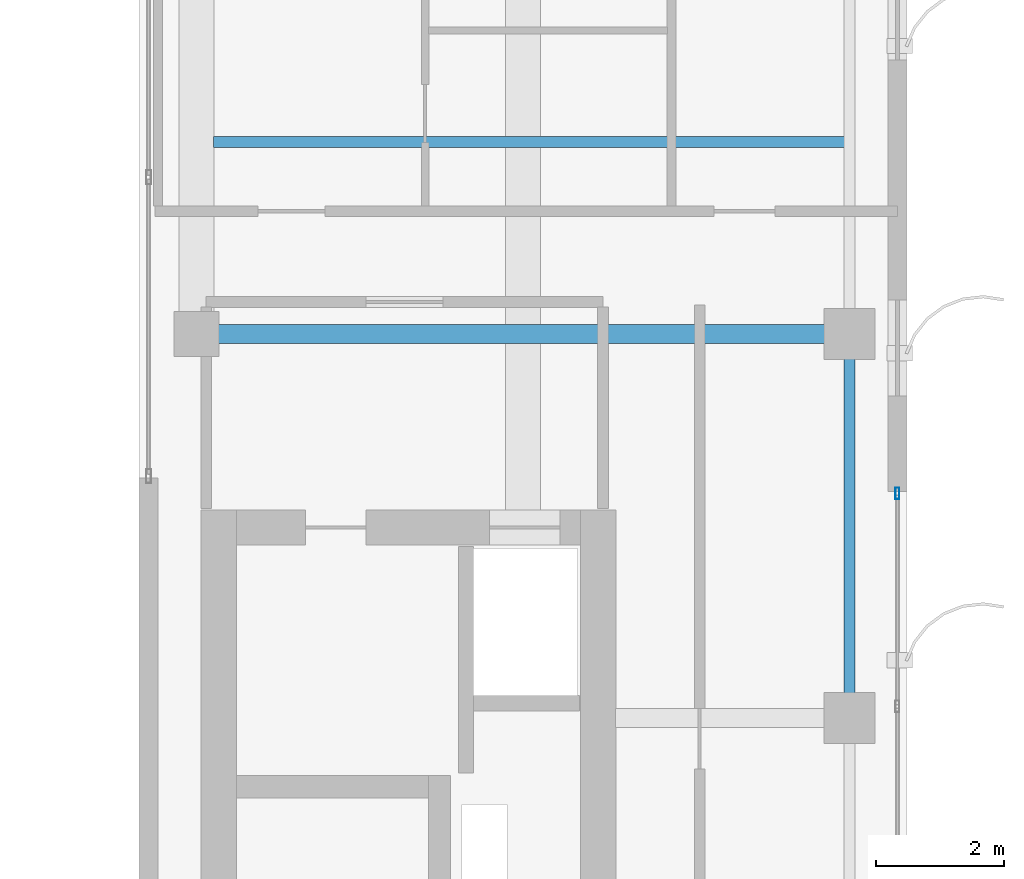
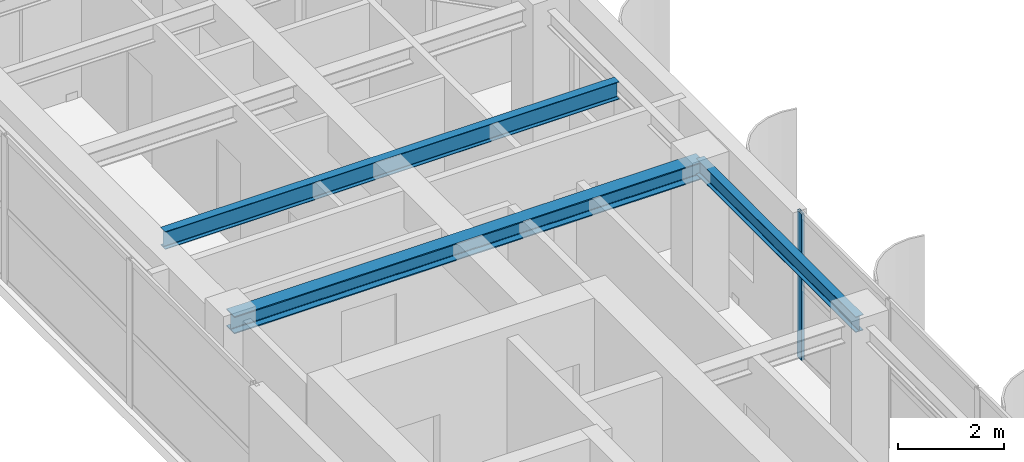
# One storey, part 13 of 24: 3 beams, 1 member, 1 element without a shape of its own.
"""IFC4 building model written with IfcOpenShell, lengths in metres."""

from ifc_helpers import new_model, si_unit, direction, frame, origin, origin_2d, place, context, subcontext, project, spatial, hollow_rectangle, i_section, extrude, source, transform, mapped, material, layer, layer_set, material_profile, profile_set, type_object, element, aggregate, save


model = new_model("IFC4")

# Units and contexts
model_context = context("Model", 3, precision=1e-05, world=origin(), true_north=direction((0.0, 1.0)))
body_context = subcontext(model_context, "Body", "Model", "MODEL_VIEW")
ifc_project = project(units=[si_unit("LENGTHUNIT", "METRE"), si_unit("AREAUNIT", "SQUARE_METRE"), si_unit("VOLUMEUNIT", "CUBIC_METRE"), si_unit("PLANEANGLEUNIT", "RADIAN"), si_unit("MASSUNIT", "GRAM", prefix="KILO")], contexts=[model_context])

# Site, building, storey
site_placement = place(None, origin())
site = spatial("IfcSite", under=ifc_project, at=site_placement, CompositionType="ELEMENT")
building_placement = place(site_placement, origin())
building = spatial("IfcBuilding", under=site, at=building_placement, Name="Khoralis Quay Care Tower", CompositionType="ELEMENT")
storey_placement = place(building_placement, frame((0.0, 0.0, 249.300048828125)))
storey = spatial("IfcBuildingStorey", under=building, at=storey_placement, Name="L65", CompositionType="ELEMENT", Elevation=249.300048828125)

# Beams
ifc_material_1 = material(Name="Steel S355", Category="steel")
ifc_material_profile_1 = material_profile(ifc_material_1, i_section(OverallWidth=0.169921875, OverallDepth=0.360107421875, WebThickness=0.008056640625, FlangeThickness=0.0126953125, FilletRadius=0.01806640625, at=origin_2d()), Name="Steel S355")
ifc_profile_set_1 = profile_set([ifc_material_profile_1], Name="Steel S355")
beam_type_1 = type_object("IfcBeamType", Name="BM-IPE360", PredefinedType="SPANDREL", material=ifc_profile_set_1)
shared_shape_1 = source(origin(), body_context, "Body", "SweptSolid", [
    extrude(i_section(OverallWidth=0.169921875, OverallDepth=0.360107421875, WebThickness=0.008056640625, FlangeThickness=0.0126953125, FilletRadius=0.01806640625, at=origin_2d()), origin(), (0.0, 0.0, 1.0), 6.0),
])
beam_1_placement = place(storey_placement, frame((41.10009765625, 24.0, 3.179931640625), z_axis=(0.0, 1.0, 0.0), x_axis=(-1.0, 0.0, 0.0)))
element("IfcBeam", 1, at=beam_1_placement, inside=storey, type_object=beam_type_1, Name="BM-TSP-L65-11", PredefinedType="SPANDREL", context=body_context, shape_type="MappedRepresentation", body=[
    mapped(shared_shape_1, transform((0.0, 0.0, 0.0), scale=1.0)),
])
ifc_material_profile_2 = material_profile(ifc_material_1, i_section(OverallWidth=0.300048828125, OverallDepth=0.39990234375, WebThickness=0.013427734375, FlangeThickness=0.02392578125, FilletRadius=0.027099609375, at=origin_2d()), Name="Steel S355")
ifc_profile_set_2 = profile_set([ifc_material_profile_2], Name="Steel S355")
beam_type_2 = type_object("IfcBeamType", Name="BM-HEB400", PredefinedType="BEAM", material=ifc_profile_set_2)
shared_shape_2 = source(origin(), body_context, "Body", "SweptSolid", [
    extrude(i_section(OverallWidth=0.300048828125, OverallDepth=0.39990234375, WebThickness=0.013427734375, FlangeThickness=0.02392578125, FilletRadius=0.027099609375, at=origin_2d()), origin(), (0.0, 0.0, 1.0), 10.2001953125),
])
beam_2_placement = place(storey_placement, frame((30.89990234375, 30.0, 3.159912109375), z_axis=(1.0, 0.0, 0.0), x_axis=(0.0, 1.0, 0.0)))
element("IfcBeam", 2, at=beam_2_placement, inside=storey, type_object=beam_type_2, Name="BM-TGXE-L65-300", PredefinedType="BEAM", context=body_context, shape_type="MappedRepresentation", body=[
    mapped(shared_shape_2, transform((0.0, 0.0, 0.0), scale=1.0)),
])
ifc_material_profile_3 = material_profile(ifc_material_1, i_section(OverallWidth=0.177978515625, OverallDepth=0.406982421875, WebThickness=0.0078125, FlangeThickness=0.0126953125, FilletRadius=0.012939453125, at=origin_2d()), Name="Steel S355")
ifc_profile_set_3 = profile_set([ifc_material_profile_3], Name="Steel S355")
beam_type_3 = type_object("IfcBeamType", Name="BM-W410X60", PredefinedType="JOIST", material=ifc_profile_set_3)
shared_shape_3 = source(origin(), body_context, "Body", "SweptSolid", [
    extrude(i_section(OverallWidth=0.177978515625, OverallDepth=0.406982421875, WebThickness=0.0078125, FlangeThickness=0.0126953125, FilletRadius=0.012939453125, at=origin_2d()), origin(), (0.0, 0.0, 1.0), 9.865966796875),
])
beam_3_placement = place(storey_placement, frame((31.1630859375, 33.0, 3.156494140625), z_axis=(1.0, 0.0, 0.0), x_axis=(0.0, 1.0, 0.0)))
element("IfcBeam", 3, at=beam_3_placement, inside=storey, type_object=beam_type_3, Name="BM-TJS-L65-20", PredefinedType="JOIST", context=body_context, shape_type="MappedRepresentation", body=[
    mapped(shared_shape_3, transform((0.0, 0.0, 0.0), scale=1.0)),
])

# Curtain wall, member
ifc_material_2 = material(Name="Pale anodised aluminium", Category="aluminium")
ifc_layer = layer(ifc_material_2, 0.159912109375)
ifc_layer_set = layer_set([ifc_layer], Name="Pale anodised aluminium")
curtain_wall_type = type_object("IfcCurtainWallType", Name="CW-SYS-Z3", PredefinedType="NOTDEFINED", material=ifc_layer_set)
curtain_wall_placement = place(storey_placement, origin())
curtain_wall = element("IfcCurtainWall", 4, at=curtain_wall_placement, inside=storey, type_object=curtain_wall_type, Name="L65 Unitised Curtain Wall CW-L65-P2-E5", PredefinedType="NOTDEFINED")
ifc_material_profile_4 = material_profile(ifc_material_2, hollow_rectangle(XDim=0.06494140625, YDim=0.179931640625, WallThickness=0.00390625, at=origin_2d()), Name="Pale anodised aluminium")
ifc_profile_set_4 = profile_set([ifc_material_profile_4], Name="Pale anodised aluminium")
member_type = type_object("IfcMemberType", Name="CW-MUL-180", PredefinedType="MULLION", material=ifc_profile_set_4)
shared_shape_4 = source(origin(), body_context, "Body", "SweptSolid", [
    extrude(hollow_rectangle(XDim=0.06494140625, YDim=0.179931640625, WallThickness=0.00390625, at=origin_2d()), origin(), (0.0, 0.0, 1.0), 3.35986328125),
])
member_placement = place(storey_placement, frame((41.85009765625, 27.510009765625, 0.0), z_axis=(0.0, 0.0, 1.0), x_axis=(-1.0, 0.0, 0.0)))
member = element("IfcMember", 5, at=member_placement, type_object=member_type, Name="CW3 mullion 4", PredefinedType="MULLION", context=body_context, shape_type="MappedRepresentation", body=[
    mapped(shared_shape_4, transform((0.0, 0.0, 0.0), scale=1.0)),
])
aggregate(curtain_wall, [member])

save(model, "model.ifc")
